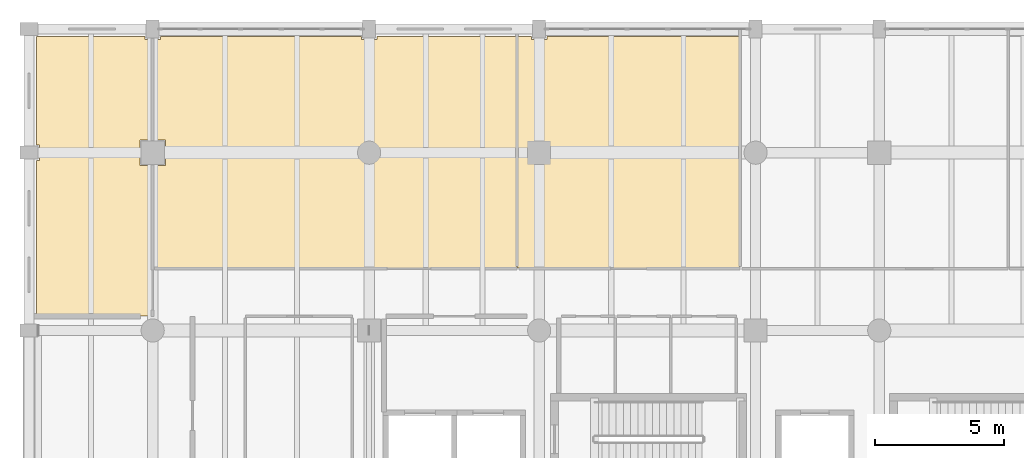
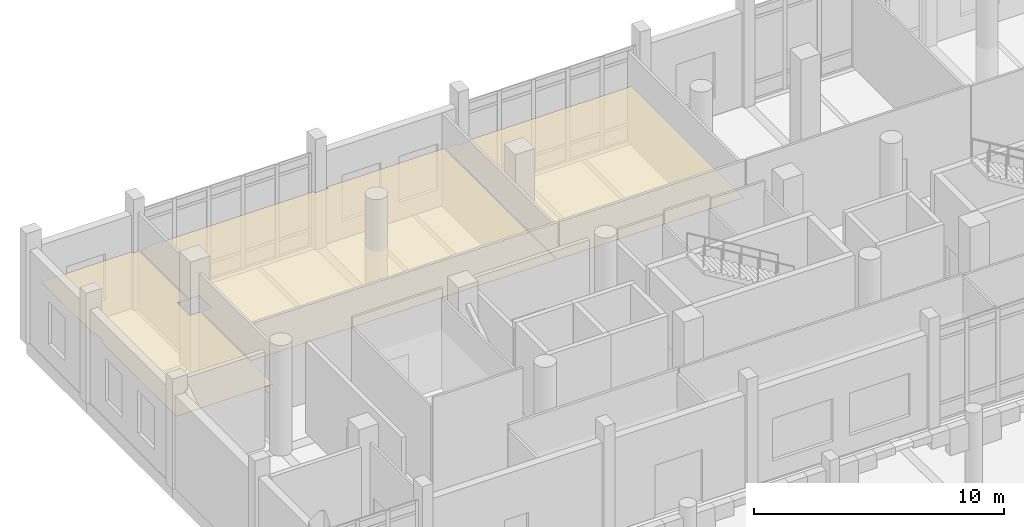
# One storey, part 65 of 72: 3 coverings.
"""IFC4 building model written with IfcOpenShell, lengths in metres."""

from ifc_helpers import new_model, si_unit, direction, frame, origin, place, context, subcontext, project, spatial, polyline, outline, extrude, material, layer, layer_set, type_object, element, save


model = new_model("IFC4")

# Units and contexts
model_context = context("Model", 3, precision=1e-05, world=origin(), true_north=direction((0.0, 1.0)))
body_context = subcontext(model_context, "Body", "Model", "MODEL_VIEW")
ifc_project = project(units=[si_unit("LENGTHUNIT", "METRE"), si_unit("AREAUNIT", "SQUARE_METRE"), si_unit("VOLUMEUNIT", "CUBIC_METRE"), si_unit("PLANEANGLEUNIT", "RADIAN"), si_unit("MASSUNIT", "GRAM", prefix="KILO")], contexts=[model_context])

# Site, building, storey
site_placement = place(None, origin())
site = spatial("IfcSite", under=ifc_project, at=site_placement, CompositionType="ELEMENT")
building_placement = place(site_placement, origin())
building = spatial("IfcBuilding", under=site, at=building_placement, Name="Dornvale Research Institute", CompositionType="ELEMENT")
storey_placement = place(building_placement, origin())
storey = spatial("IfcBuildingStorey", under=building, at=storey_placement, Name="L00", CompositionType="ELEMENT", Elevation=0.0)

# Coverings
ifc_material = material(Name="Mineral-Fibre Acoustic Lay-In Ceiling Tile System")
ifc_layer = layer(ifc_material, 0.02001953125)
ifc_layer_set = layer_set([ifc_layer], Name="Mineral-Fibre Acoustic Lay-In Ceiling Tile System")
covering_type = type_object("IfcCoveringType", Name="Covering_Acoustic_Ceiling", PredefinedType="CEILING", material=ifc_layer_set)
covering_1_placement = place(storey_placement, frame((0.0, 0.0, 2.85009765625)))
element("IfcCovering", 1, at=covering_1_placement, inside=storey, type_object=covering_type, Name="L00 Computational Sciences Colloquium Room West Alcove suspended ceiling", PredefinedType="CEILING", context=body_context, shape_type="SweptSolid", body=[
    extrude(outline(polyline([(4.780029296875, 117.800048828125), (4.300048828125, 117.800048828125), (4.300048828125, 116.800048828125), (4.780029296875, 116.800048828125), (4.780029296875, 110.969970703125), (0.300048828125, 110.969970703125), (0.300048828125, 117.0), (0.39990234375, 117.0), (0.39990234375, 117.60009765625), (0.300048828125, 117.60009765625), (0.300048828125, 121.800048828125), (0.39990234375, 121.800048828125), (4.5, 121.800048828125), (4.5, 121.699951171875), (4.780029296875, 121.699951171875), (4.780029296875, 117.800048828125)])), origin(), (0.0, 0.0, 1.0), 0.02001953125),
])
covering_2_placement = place(storey_placement, frame((0.0, 0.0, 2.85009765625)))
element("IfcCovering", 2, at=covering_2_placement, inside=storey, type_object=covering_type, Name="L00 Computational Sciences Colloquium Room suspended ceiling", PredefinedType="CEILING", context=body_context, shape_type="SweptSolid", body=[
    extrude(outline(polyline([(5.10009765625, 121.699951171875), (5.10009765625, 121.800048828125), (12.89990234375, 121.800048828125), (12.89990234375, 121.699951171875), (13.5, 121.699951171875), (13.5, 121.800048828125), (18.919921875, 121.800048828125), (18.919921875, 112.820068359375), (4.820068359375, 112.820068359375), (4.820068359375, 116.800048828125), (5.300048828125, 116.800048828125), (5.300048828125, 117.800048828125), (4.820068359375, 117.800048828125), (4.820068359375, 121.699951171875), (5.10009765625, 121.699951171875)])), origin(), (0.0, 0.0, 1.0), 0.02001953125),
])
covering_3_placement = place(storey_placement, frame((0.0, 0.0, 2.85009765625)))
element("IfcCovering", 3, at=covering_3_placement, inside=storey, type_object=covering_type, Name="L00 Dry Computational Laboratory L00-A suspended ceiling", PredefinedType="CEILING", context=body_context, shape_type="SweptSolid", body=[
    extrude(outline(polyline([(18.9599609375, 112.820068359375), (18.9599609375, 121.800048828125), (19.5, 121.800048828125), (19.5, 121.699951171875), (20.10009765625, 121.699951171875), (20.10009765625, 121.800048828125), (27.580078125, 121.800048828125), (27.580078125, 112.820068359375), (18.9599609375, 112.820068359375)])), origin(), (0.0, 0.0, 1.0), 0.02001953125),
])

save(model, "model.ifc")
